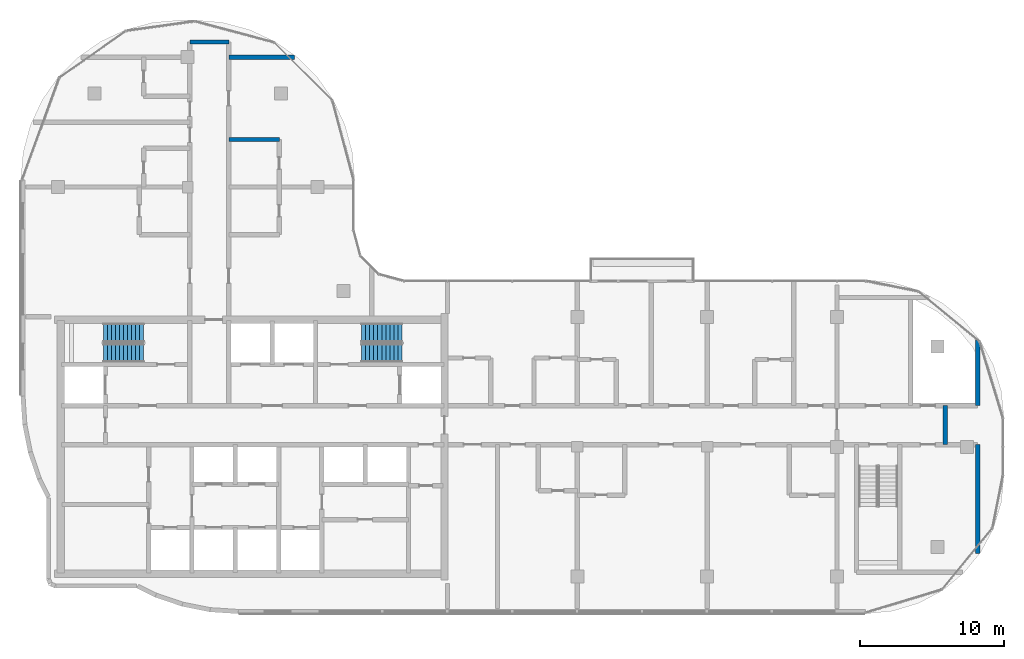
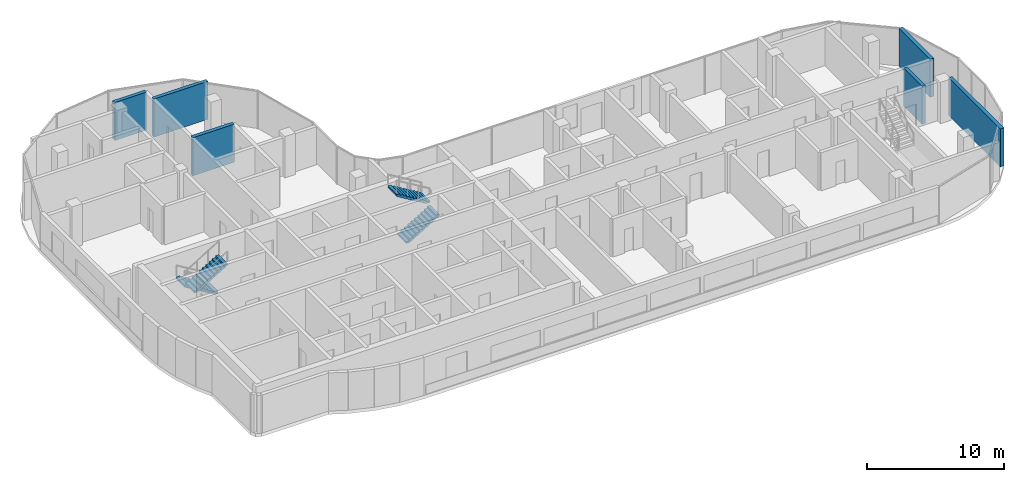
# One storey, part 13 of 18: 6 walls, 4 stair flights, 2 elements without a shape of their own.
"""IFC4 building model written with IfcOpenShell, lengths in metres."""

from ifc_helpers import new_model, si_unit, direction, frame, frame_2d, origin, place, context, subcontext, project, spatial, rectangle, extrude, triangles, source, transform, mapped, material, layer, layer_set, type_object, element, aggregate, save


model = new_model("IFC4")

# Units and contexts
model_context = context("Model", 3, precision=1e-05, world=origin(), true_north=direction((0.0, 1.0)))
body_context = subcontext(model_context, "Body", "Model", "MODEL_VIEW")
ifc_project = project(units=[si_unit("LENGTHUNIT", "METRE"), si_unit("AREAUNIT", "SQUARE_METRE"), si_unit("VOLUMEUNIT", "CUBIC_METRE"), si_unit("PLANEANGLEUNIT", "RADIAN"), si_unit("MASSUNIT", "GRAM", prefix="KILO")], contexts=[model_context])

# Site, building, storey
site_placement = place(None, origin())
site = spatial("IfcSite", under=ifc_project, at=site_placement, CompositionType="ELEMENT")
building_placement = place(site_placement, origin())
building = spatial("IfcBuilding", under=site, at=building_placement, Name="Ogive Portal Towers", CompositionType="ELEMENT")
storey_placement = place(building_placement, frame((0.0, 0.0, 236.5)))
storey = spatial("IfcBuildingStorey", under=building, at=storey_placement, Name="L59", CompositionType="ELEMENT", Elevation=236.5)

# Walls
ifc_material_1 = material(Name="Gypsum board partition on steel studs", Category="steel")
ifc_layer_1 = layer(ifc_material_1, 0.300048828125)
ifc_layer_set_1 = layer_set([ifc_layer_1], Name="WT-PART-300-EI 120")
wall_type_1 = type_object("IfcWallType", Name="WT-PART-300-EI 120", PredefinedType="PARTITIONING", material=ifc_layer_set_1)
wall_1_placement = place(storey_placement, frame((93.0, 30.64990234375, 0.0), z_axis=(0.0, 0.0, 1.0), x_axis=(0.0, 1.0, 0.0)))
element("IfcWall", 1, at=wall_1_placement, inside=storey, type_object=wall_type_1, Name="Wall L59:w052", PredefinedType="PARTITIONING", context=body_context, shape_type="SweptSolid", body=[
    extrude(rectangle(XDim=2.7001953125, YDim=0.300048828125, at=frame_2d((1.35009765625, 0.0))), origin(), (0.0, 0.0, 1.0), 3.39990234375),
])
ifc_layer_2 = layer(ifc_material_1, 0.300048828125)
ifc_layer_set_2 = layer_set([ifc_layer_2], Name="WT-PART-300-EI 60")
wall_type_2 = type_object("IfcWallType", Name="WT-PART-300-EI 60", PredefinedType="PARTITIONING", material=ifc_layer_set_2)
wall_2_placement = place(storey_placement, frame((43.35009765625, 51.800048828125, 0.0), z_axis=(0.0, 0.0, 1.0), x_axis=(1.0, 0.0, 0.0)))
element("IfcWall", 2, at=wall_2_placement, inside=storey, type_object=wall_type_2, Name="Wall L59:w020", PredefinedType="PARTITIONING", context=body_context, shape_type="SweptSolid", body=[
    extrude(rectangle(XDim=3.5, YDim=0.300048828125, at=frame_2d((1.75, 0.0))), origin(), (0.0, 0.0, 1.0), 3.39990234375),
])
wall_3_placement = place(storey_placement, frame((43.35009765625, 57.5, 0.0), z_axis=(0.0, 0.0, 1.0), x_axis=(1.0, 0.0, 0.0)))
element("IfcWall", 3, at=wall_3_placement, inside=storey, type_object=wall_type_2, Name="Wall L59:w024", PredefinedType="PARTITIONING", context=body_context, shape_type="SweptSolid", body=[
    extrude(rectangle(XDim=4.56201171875, YDim=0.300048828125, at=frame_2d((2.281005859375, 0.0))), origin(), (0.0, 0.0, 1.0), 3.39990234375),
])
wall_4_placement = place(storey_placement, frame((40.64990234375, 58.550048828125, 0.0), z_axis=(0.0, 0.0, 1.0), x_axis=(1.0, 0.0, 0.0)))
element("IfcWall", 4, at=wall_4_placement, inside=storey, type_object=wall_type_2, Name="Wall L59:w025", PredefinedType="PARTITIONING", context=body_context, shape_type="SweptSolid", body=[
    extrude(rectangle(XDim=2.7001953125, YDim=0.300048828125, at=frame_2d((1.35009765625, 0.0))), origin(), (0.0, 0.0, 1.0), 3.39990234375),
])
wall_5_placement = place(storey_placement, frame((95.25, 23.091064453125, 0.0), z_axis=(0.0, 0.0, 1.0), x_axis=(0.0, 1.0, 0.0)))
element("IfcWall", 5, at=wall_5_placement, inside=storey, type_object=wall_type_2, Name="Wall L59:w053", PredefinedType="PARTITIONING", context=body_context, shape_type="SweptSolid", body=[
    extrude(rectangle(XDim=7.558837890625, YDim=0.300048828125, at=frame_2d((3.779296875, 0.0))), origin(), (0.0, 0.0, 1.0), 3.39990234375),
])
wall_6_placement = place(storey_placement, frame((95.25, 33.35009765625, 0.0), z_axis=(0.0, 0.0, 1.0), x_axis=(0.0, 1.0, 0.0)))
element("IfcWall", 6, at=wall_6_placement, inside=storey, type_object=wall_type_2, Name="Wall L59:w054", PredefinedType="PARTITIONING", context=body_context, shape_type="SweptSolid", body=[
    extrude(rectangle(XDim=4.558837890625, YDim=0.300048828125, at=frame_2d((2.279296875, 0.0))), origin(), (0.0, 0.0, 1.0), 3.39990234375),
])

# Stair, stair flights
ifc_material_2 = material(Name="Concrete C40/50", Category="concrete")
stair_type = type_object("IfcStairType", Name="INT-STAIR", PredefinedType="HALF_TURN_STAIR", material=ifc_material_2)
stair_1_placement = place(storey_placement, origin())
stair_1 = element("IfcStair", 7, at=stair_1_placement, inside=storey, type_object=stair_type, Name="L59 Exit Stair ST-A1", PredefinedType="HALF_TURN_STAIR")
stair_flight_type = type_object("IfcStairFlightType", Name="INT-FLIGHT", PredefinedType="STRAIGHT", material=ifc_material_2)
shared_shape = source(origin(), body_context, "Body", "Tessellation", [
    triangles([(0.0, -0.650146484375, 0.0), (0.0, -0.376220703125, 0.0), (0.0, -0.192626953125, 0.0), (0.0, -0.081298828125, 0.0), (0.0, -0.024169921875, 0.0), (0.0, -0.003173828125, 0.0), (0.0, 0.0, 0.0), (0.0, 0.0029296875, 0.0), (0.0, 0.02392578125, 0.0), (0.0, 0.0810546875, 0.0), (0.0, 0.1923828125, 0.0), (0.0, 0.3759765625, 0.0), (0.0, 0.64990234375, 0.0), (0.0, -0.650146484375, 0.168212890625), (0.0, -0.376220703125, 0.168212890625), (0.0, -0.192626953125, 0.168212890625), (0.0, -0.081298828125, 0.168212890625), (0.0, -0.024169921875, 0.168212890625), (0.0, -0.003173828125, 0.168212890625), (0.0, 0.0, 0.168212890625), (0.0, 0.0029296875, 0.168212890625), (0.0, 0.02392578125, 0.168212890625), (0.0, 0.0810546875, 0.168212890625), (0.0, 0.1923828125, 0.168212890625), (0.0, 0.3759765625, 0.168212890625), (0.0, 0.64990234375, 0.168212890625), (0.280029296875, -0.650146484375, 0.168212890625), (0.280029296875, -0.376220703125, 0.168212890625), (0.280029296875, -0.192626953125, 0.168212890625), (0.280029296875, -0.081298828125, 0.168212890625), (0.280029296875, -0.024169921875, 0.168212890625), (0.280029296875, -0.003173828125, 0.168212890625), (0.280029296875, 0.0, 0.168212890625), (0.280029296875, 0.0029296875, 0.168212890625), (0.280029296875, 0.02392578125, 0.168212890625), (0.280029296875, 0.0810546875, 0.168212890625), (0.280029296875, 0.1923828125, 0.168212890625), (0.280029296875, 0.3759765625, 0.168212890625), (0.280029296875, 0.64990234375, 0.168212890625), (0.280029296875, -0.650146484375, 0.33642578125), (0.280029296875, -0.376220703125, 0.33642578125), (0.280029296875, -0.192626953125, 0.33642578125), (0.280029296875, -0.081298828125, 0.33642578125), (0.280029296875, -0.024169921875, 0.33642578125), (0.280029296875, -0.003173828125, 0.33642578125), (0.280029296875, 0.0, 0.33642578125), (0.280029296875, 0.0029296875, 0.33642578125), (0.280029296875, 0.02392578125, 0.33642578125), (0.280029296875, 0.0810546875, 0.33642578125), (0.280029296875, 0.1923828125, 0.33642578125), (0.280029296875, 0.3759765625, 0.33642578125), (0.280029296875, 0.64990234375, 0.33642578125), (0.56005859375, -0.650146484375, 0.33642578125), (0.56005859375, -0.376220703125, 0.33642578125), (0.56005859375, -0.192626953125, 0.33642578125), (0.56005859375, -0.081298828125, 0.33642578125), (0.56005859375, -0.024169921875, 0.33642578125), (0.56005859375, -0.003173828125, 0.33642578125), (0.56005859375, 0.0, 0.33642578125), (0.56005859375, 0.0029296875, 0.33642578125), (0.56005859375, 0.02392578125, 0.33642578125), (0.56005859375, 0.0810546875, 0.33642578125), (0.56005859375, 0.1923828125, 0.33642578125), (0.56005859375, 0.3759765625, 0.33642578125), (0.56005859375, 0.64990234375, 0.33642578125), (0.56005859375, -0.650146484375, 0.504638671875), (0.56005859375, -0.376220703125, 0.504638671875), (0.56005859375, -0.192626953125, 0.504638671875), (0.56005859375, -0.081298828125, 0.504638671875), (0.56005859375, -0.024169921875, 0.504638671875), (0.56005859375, -0.003173828125, 0.504638671875), (0.56005859375, 0.0, 0.504638671875), (0.56005859375, 0.0029296875, 0.504638671875), (0.56005859375, 0.02392578125, 0.504638671875), (0.56005859375, 0.0810546875, 0.504638671875), (0.56005859375, 0.1923828125, 0.504638671875), (0.56005859375, 0.3759765625, 0.504638671875), (0.56005859375, 0.64990234375, 0.504638671875), (0.840087890625, -0.650146484375, 0.504638671875), (0.840087890625, -0.376220703125, 0.504638671875), (0.840087890625, -0.192626953125, 0.504638671875), (0.840087890625, -0.081298828125, 0.504638671875), (0.840087890625, -0.024169921875, 0.504638671875), (0.840087890625, -0.003173828125, 0.504638671875), (0.840087890625, 0.0, 0.504638671875), (0.840087890625, 0.0029296875, 0.504638671875), (0.840087890625, 0.02392578125, 0.504638671875), (0.840087890625, 0.0810546875, 0.504638671875), (0.840087890625, 0.1923828125, 0.504638671875), (0.840087890625, 0.3759765625, 0.504638671875), (0.840087890625, 0.64990234375, 0.504638671875), (0.840087890625, -0.650146484375, 0.672607421875), (0.840087890625, -0.376220703125, 0.672607421875), (0.840087890625, -0.192626953125, 0.672607421875), (0.840087890625, -0.081298828125, 0.672607421875), (0.840087890625, -0.024169921875, 0.672607421875), (0.840087890625, -0.003173828125, 0.672607421875), (0.840087890625, 0.0, 0.672607421875), (0.840087890625, 0.0029296875, 0.672607421875), (0.840087890625, 0.02392578125, 0.672607421875), (0.840087890625, 0.0810546875, 0.672607421875), (0.840087890625, 0.1923828125, 0.672607421875), (0.840087890625, 0.3759765625, 0.672607421875), (0.840087890625, 0.64990234375, 0.672607421875), (1.1201171875, -0.650146484375, 0.672607421875), (1.1201171875, -0.376220703125, 0.672607421875), (1.1201171875, -0.192626953125, 0.672607421875), (1.1201171875, -0.081298828125, 0.672607421875), (1.1201171875, -0.024169921875, 0.672607421875), (1.1201171875, -0.003173828125, 0.672607421875), (1.1201171875, 0.0, 0.672607421875), (1.1201171875, 0.0029296875, 0.672607421875), (1.1201171875, 0.02392578125, 0.672607421875), (1.1201171875, 0.0810546875, 0.672607421875), (1.1201171875, 0.1923828125, 0.672607421875), (1.1201171875, 0.3759765625, 0.672607421875), (1.1201171875, 0.64990234375, 0.672607421875), (1.1201171875, -0.650146484375, 0.8408203125), (1.1201171875, -0.376220703125, 0.8408203125), (1.1201171875, -0.192626953125, 0.8408203125), (1.1201171875, -0.081298828125, 0.8408203125), (1.1201171875, -0.024169921875, 0.8408203125), (1.1201171875, -0.003173828125, 0.8408203125), (1.1201171875, 0.0, 0.8408203125), (1.1201171875, 0.0029296875, 0.8408203125), (1.1201171875, 0.02392578125, 0.8408203125), (1.1201171875, 0.0810546875, 0.8408203125), (1.1201171875, 0.1923828125, 0.8408203125), (1.1201171875, 0.3759765625, 0.8408203125), (1.1201171875, 0.64990234375, 0.8408203125), (1.39990234375, -0.650146484375, 0.8408203125), (1.39990234375, -0.376220703125, 0.8408203125), (1.39990234375, -0.192626953125, 0.8408203125), (1.39990234375, -0.081298828125, 0.8408203125), (1.39990234375, -0.024169921875, 0.8408203125), (1.39990234375, -0.003173828125, 0.8408203125), (1.39990234375, 0.0, 0.8408203125), (1.39990234375, 0.0029296875, 0.8408203125), (1.39990234375, 0.02392578125, 0.8408203125), (1.39990234375, 0.0810546875, 0.8408203125), (1.39990234375, 0.1923828125, 0.8408203125), (1.39990234375, 0.3759765625, 0.8408203125), (1.39990234375, 0.64990234375, 0.8408203125), (1.39990234375, -0.650146484375, 1.009033203125), (1.39990234375, -0.376220703125, 1.009033203125), (1.39990234375, -0.192626953125, 1.009033203125), (1.39990234375, -0.081298828125, 1.009033203125), (1.39990234375, -0.024169921875, 1.009033203125), (1.39990234375, -0.003173828125, 1.009033203125), (1.39990234375, 0.0, 1.009033203125), (1.39990234375, 0.0029296875, 1.009033203125), (1.39990234375, 0.02392578125, 1.009033203125), (1.39990234375, 0.0810546875, 1.009033203125), (1.39990234375, 0.1923828125, 1.009033203125), (1.39990234375, 0.3759765625, 1.009033203125), (1.39990234375, 0.64990234375, 1.009033203125), (1.679931640625, -0.650146484375, 1.009033203125), (1.679931640625, -0.376220703125, 1.009033203125), (1.679931640625, -0.192626953125, 1.009033203125), (1.679931640625, -0.081298828125, 1.009033203125), (1.679931640625, -0.024169921875, 1.009033203125), (1.679931640625, -0.003173828125, 1.009033203125), (1.679931640625, 0.0, 1.009033203125), (1.679931640625, 0.0029296875, 1.009033203125), (1.679931640625, 0.02392578125, 1.009033203125), (1.679931640625, 0.0810546875, 1.009033203125), (1.679931640625, 0.1923828125, 1.009033203125), (1.679931640625, 0.3759765625, 1.009033203125), (1.679931640625, 0.64990234375, 1.009033203125), (1.679931640625, -0.650146484375, 1.17724609375), (1.679931640625, -0.376220703125, 1.17724609375), (1.679931640625, -0.192626953125, 1.17724609375), (1.679931640625, -0.081298828125, 1.17724609375), (1.679931640625, -0.024169921875, 1.17724609375), (1.679931640625, -0.003173828125, 1.17724609375), (1.679931640625, 0.0, 1.17724609375), (1.679931640625, 0.0029296875, 1.17724609375), (1.679931640625, 0.02392578125, 1.17724609375), (1.679931640625, 0.0810546875, 1.17724609375), (1.679931640625, 0.1923828125, 1.17724609375), (1.679931640625, 0.3759765625, 1.17724609375), (1.679931640625, 0.64990234375, 1.17724609375), (1.9599609375, -0.650146484375, 1.17724609375), (1.9599609375, -0.376220703125, 1.17724609375), (1.9599609375, -0.192626953125, 1.17724609375), (1.9599609375, -0.081298828125, 1.17724609375), (1.9599609375, -0.024169921875, 1.17724609375), (1.9599609375, -0.003173828125, 1.17724609375), (1.9599609375, 0.0, 1.17724609375), (1.9599609375, 0.0029296875, 1.17724609375), (1.9599609375, 0.02392578125, 1.17724609375), (1.9599609375, 0.0810546875, 1.17724609375), (1.9599609375, 0.1923828125, 1.17724609375), (1.9599609375, 0.3759765625, 1.17724609375), (1.9599609375, 0.64990234375, 1.17724609375), (1.9599609375, -0.650146484375, 1.345458984375), (1.9599609375, -0.376220703125, 1.345458984375), (1.9599609375, -0.192626953125, 1.345458984375), (1.9599609375, -0.081298828125, 1.345458984375), (1.9599609375, -0.024169921875, 1.345458984375), (1.9599609375, -0.003173828125, 1.345458984375), (1.9599609375, 0.0, 1.345458984375), (1.9599609375, 0.0029296875, 1.345458984375), (1.9599609375, 0.02392578125, 1.345458984375), (1.9599609375, 0.0810546875, 1.345458984375), (1.9599609375, 0.1923828125, 1.345458984375), (1.9599609375, 0.3759765625, 1.345458984375), (1.9599609375, 0.64990234375, 1.345458984375), (2.239990234375, -0.650146484375, 1.345458984375), (2.239990234375, -0.376220703125, 1.345458984375), (2.239990234375, -0.192626953125, 1.345458984375), (2.239990234375, -0.081298828125, 1.345458984375), (2.239990234375, -0.024169921875, 1.345458984375), (2.239990234375, -0.003173828125, 1.345458984375), (2.239990234375, 0.0, 1.345458984375), (2.239990234375, 0.0029296875, 1.345458984375), (2.239990234375, 0.02392578125, 1.345458984375), (2.239990234375, 0.0810546875, 1.345458984375), (2.239990234375, 0.1923828125, 1.345458984375), (2.239990234375, 0.3759765625, 1.345458984375), (2.239990234375, 0.64990234375, 1.345458984375), (2.239990234375, -0.650146484375, 1.513671875), (2.239990234375, -0.376220703125, 1.513671875), (2.239990234375, -0.192626953125, 1.513671875), (2.239990234375, -0.081298828125, 1.513671875), (2.239990234375, -0.024169921875, 1.513671875), (2.239990234375, -0.003173828125, 1.513671875), (2.239990234375, 0.0, 1.513671875), (2.239990234375, 0.0029296875, 1.513671875), (2.239990234375, 0.02392578125, 1.513671875), (2.239990234375, 0.0810546875, 1.513671875), (2.239990234375, 0.1923828125, 1.513671875), (2.239990234375, 0.3759765625, 1.513671875), (2.239990234375, 0.64990234375, 1.513671875), (2.52001953125, -0.650146484375, 1.513671875), (2.52001953125, -0.376220703125, 1.513671875), (2.52001953125, -0.192626953125, 1.513671875), (2.52001953125, -0.081298828125, 1.513671875), (2.52001953125, -0.024169921875, 1.513671875), (2.52001953125, -0.003173828125, 1.513671875), (2.52001953125, 0.0, 1.513671875), (2.52001953125, 0.0029296875, 1.513671875), (2.52001953125, 0.02392578125, 1.513671875), (2.52001953125, 0.0810546875, 1.513671875), (2.52001953125, 0.1923828125, 1.513671875), (2.52001953125, 0.3759765625, 1.513671875), (2.52001953125, 0.64990234375, 1.513671875), (2.52001953125, -0.650146484375, 1.681884765625), (2.52001953125, -0.376220703125, 1.681884765625), (2.52001953125, -0.192626953125, 1.681884765625), (2.52001953125, -0.081298828125, 1.681884765625), (2.52001953125, -0.024169921875, 1.681884765625), (2.52001953125, -0.003173828125, 1.681884765625), (2.52001953125, 0.0, 1.681884765625), (2.52001953125, 0.0029296875, 1.681884765625), (2.52001953125, 0.02392578125, 1.681884765625), (2.52001953125, 0.0810546875, 1.681884765625), (2.52001953125, 0.1923828125, 1.681884765625), (2.52001953125, 0.3759765625, 1.681884765625), (2.52001953125, 0.64990234375, 1.681884765625), (2.800048828125, -0.650146484375, 1.681884765625), (2.800048828125, -0.376220703125, 1.681884765625), (2.800048828125, -0.192626953125, 1.681884765625), (2.800048828125, -0.081298828125, 1.681884765625), (2.800048828125, -0.024169921875, 1.681884765625), (2.800048828125, -0.003173828125, 1.681884765625), (2.800048828125, 0.0, 1.681884765625), (2.800048828125, 0.0029296875, 1.681884765625), (2.800048828125, 0.02392578125, 1.681884765625), (2.800048828125, 0.0810546875, 1.681884765625), (2.800048828125, 0.1923828125, 1.681884765625), (2.800048828125, 0.3759765625, 1.681884765625), (2.800048828125, 0.64990234375, 1.681884765625), (2.800048828125, -0.650146484375, 1.5068359375), (2.800048828125, -0.376220703125, 1.5068359375), (2.800048828125, -0.192626953125, 1.5068359375), (2.800048828125, -0.081298828125, 1.5068359375), (2.800048828125, -0.024169921875, 1.5068359375), (2.800048828125, -0.003173828125, 1.5068359375), (2.800048828125, 0.0, 1.5068359375), (2.800048828125, 0.0029296875, 1.5068359375), (2.800048828125, 0.02392578125, 1.5068359375), (2.800048828125, 0.0810546875, 1.5068359375), (2.800048828125, 0.1923828125, 1.5068359375), (2.800048828125, 0.3759765625, 1.5068359375), (2.800048828125, 0.64990234375, 1.5068359375), (0.291015625, -0.650146484375, 0.0), (0.291015625, -0.376220703125, 0.0), (0.291015625, -0.192626953125, 0.0), (0.291015625, -0.081298828125, 0.0), (0.291015625, -0.024169921875, 0.0), (0.291015625, -0.003173828125, 0.0), (0.291015625, 0.0, 0.0), (0.291015625, 0.0029296875, 0.0), (0.291015625, 0.02392578125, 0.0), (0.291015625, 0.0810546875, 0.0), (0.291015625, 0.1923828125, 0.0), (0.291015625, 0.3759765625, 0.0), (0.291015625, 0.64990234375, 0.0)], [[1, 14, 15], [1, 15, 2], [2, 15, 16], [2, 16, 3], [3, 16, 17], [3, 17, 4], [4, 17, 18], [4, 18, 5], [5, 18, 19], [5, 19, 6], [6, 19, 20], [6, 20, 7], [7, 20, 21], [7, 21, 8], [8, 21, 22], [8, 22, 9], [9, 22, 23], [9, 23, 10], [10, 23, 24], [10, 24, 11], [11, 24, 25], [11, 25, 12], [12, 25, 26], [12, 26, 13], [14, 27, 28], [14, 28, 15], [15, 28, 29], [15, 29, 16], [16, 29, 30], [16, 30, 17], [17, 30, 31], [17, 31, 18], [18, 31, 32], [18, 32, 19], [19, 32, 33], [19, 33, 20], [20, 33, 34], [20, 34, 21], [21, 34, 35], [21, 35, 22], [22, 35, 36], [22, 36, 23], [23, 36, 37], [23, 37, 24], [24, 37, 38], [24, 38, 25], [25, 38, 39], [25, 39, 26], [27, 40, 41], [27, 41, 28], [28, 41, 42], [28, 42, 29], [29, 42, 43], [29, 43, 30], [30, 43, 44], [30, 44, 31], [31, 44, 45], [31, 45, 32], [32, 45, 46], [32, 46, 33], [33, 46, 47], [33, 47, 34], [34, 47, 48], [34, 48, 35], [35, 48, 49], [35, 49, 36], [36, 49, 50], [36, 50, 37], [37, 50, 51], [37, 51, 38], [38, 51, 52], [38, 52, 39], [40, 53, 54], [40, 54, 41], [41, 54, 55], [41, 55, 42], [42, 55, 56], [42, 56, 43], [43, 56, 57], [43, 57, 44], [44, 57, 58], [44, 58, 45], [45, 58, 59], [45, 59, 46], [46, 59, 60], [46, 60, 47], [47, 60, 61], [47, 61, 48], [48, 61, 62], [48, 62, 49], [49, 62, 63], [49, 63, 50], [50, 63, 64], [50, 64, 51], [51, 64, 65], [51, 65, 52], [53, 66, 67], [53, 67, 54], [54, 67, 68], [54, 68, 55], [55, 68, 69], [55, 69, 56], [56, 69, 70], [56, 70, 57], [57, 70, 71], [57, 71, 58], [58, 71, 72], [58, 72, 59], [59, 72, 73], [59, 73, 60], [60, 73, 74], [60, 74, 61], [61, 74, 75], [61, 75, 62], [62, 75, 76], [62, 76, 63], [63, 76, 77], [63, 77, 64], [64, 77, 78], [64, 78, 65], [66, 79, 80], [66, 80, 67], [67, 80, 81], [67, 81, 68], [68, 81, 82], [68, 82, 69], [69, 82, 83], [69, 83, 70], [70, 83, 84], [70, 84, 71], [71, 84, 85], [71, 85, 72], [72, 85, 86], [72, 86, 73], [73, 86, 87], [73, 87, 74], [74, 87, 88], [74, 88, 75], [75, 88, 89], [75, 89, 76], [76, 89, 90], [76, 90, 77], [77, 90, 91], [77, 91, 78], [79, 92, 93], [79, 93, 80], [80, 93, 94], [80, 94, 81], [81, 94, 95], [81, 95, 82], [82, 95, 96], [82, 96, 83], [83, 96, 97], [83, 97, 84], [84, 97, 98], [84, 98, 85], [85, 98, 99], [85, 99, 86], [86, 99, 100], [86, 100, 87], [87, 100, 101], [87, 101, 88], [88, 101, 102], [88, 102, 89], [89, 102, 103], [89, 103, 90], [90, 103, 104], [90, 104, 91], [92, 105, 106], [92, 106, 93], [93, 106, 107], [93, 107, 94], [94, 107, 108], [94, 108, 95], [95, 108, 109], [95, 109, 96], [96, 109, 110], [96, 110, 97], [97, 110, 111], [97, 111, 98], [98, 111, 112], [98, 112, 99], [99, 112, 113], [99, 113, 100], [100, 113, 114], [100, 114, 101], [101, 114, 115], [101, 115, 102], [102, 115, 116], [102, 116, 103], [103, 116, 117], [103, 117, 104], [105, 118, 119], [105, 119, 106], [106, 119, 120], [106, 120, 107], [107, 120, 121], [107, 121, 108], [108, 121, 122], [108, 122, 109], [109, 122, 123], [109, 123, 110], [110, 123, 124], [110, 124, 111], [111, 124, 125], [111, 125, 112], [112, 125, 126], [112, 126, 113], [113, 126, 127], [113, 127, 114], [114, 127, 128], [114, 128, 115], [115, 128, 129], [115, 129, 116], [116, 129, 130], [116, 130, 117], [118, 131, 132], [118, 132, 119], [119, 132, 133], [119, 133, 120], [120, 133, 134], [120, 134, 121], [121, 134, 135], [121, 135, 122], [122, 135, 136], [122, 136, 123], [123, 136, 137], [123, 137, 124], [124, 137, 138], [124, 138, 125], [125, 138, 139], [125, 139, 126], [126, 139, 140], [126, 140, 127], [127, 140, 141], [127, 141, 128], [128, 141, 142], [128, 142, 129], [129, 142, 143], [129, 143, 130], [131, 144, 145], [131, 145, 132], [132, 145, 146], [132, 146, 133], [133, 146, 147], [133, 147, 134], [134, 147, 148], [134, 148, 135], [135, 148, 149], [135, 149, 136], [136, 149, 150], [136, 150, 137], [137, 150, 151], [137, 151, 138], [138, 151, 152], [138, 152, 139], [139, 152, 153], [139, 153, 140], [140, 153, 154], [140, 154, 141], [141, 154, 155], [141, 155, 142], [142, 155, 156], [142, 156, 143], [144, 157, 158], [144, 158, 145], [145, 158, 159], [145, 159, 146], [146, 159, 160], [146, 160, 147], [147, 160, 161], [147, 161, 148], [148, 161, 162], [148, 162, 149], [149, 162, 163], [149, 163, 150], [150, 163, 164], [150, 164, 151], [151, 164, 165], [151, 165, 152], [152, 165, 166], [152, 166, 153], [153, 166, 167], [153, 167, 154], [154, 167, 168], [154, 168, 155], [155, 168, 169], [155, 169, 156], [157, 170, 171], [157, 171, 158], [158, 171, 172], [158, 172, 159], [159, 172, 173], [159, 173, 160], [160, 173, 174], [160, 174, 161], [161, 174, 175], [161, 175, 162], [162, 175, 176], [162, 176, 163], [163, 176, 177], [163, 177, 164], [164, 177, 178], [164, 178, 165], [165, 178, 179], [165, 179, 166], [166, 179, 180], [166, 180, 167], [167, 180, 181], [167, 181, 168], [168, 181, 182], [168, 182, 169], [170, 183, 184], [170, 184, 171], [171, 184, 185], [171, 185, 172], [172, 185, 186], [172, 186, 173], [173, 186, 187], [173, 187, 174], [174, 187, 188], [174, 188, 175], [175, 188, 189], [175, 189, 176], [176, 189, 190], [176, 190, 177], [177, 190, 191], [177, 191, 178], [178, 191, 192], [178, 192, 179], [179, 192, 193], [179, 193, 180], [180, 193, 194], [180, 194, 181], [181, 194, 195], [181, 195, 182], [183, 196, 197], [183, 197, 184], [184, 197, 198], [184, 198, 185], [185, 198, 199], [185, 199, 186], [186, 199, 200], [186, 200, 187], [187, 200, 201], [187, 201, 188], [188, 201, 202], [188, 202, 189], [189, 202, 203], [189, 203, 190], [190, 203, 204], [190, 204, 191], [191, 204, 205], [191, 205, 192], [192, 205, 206], [192, 206, 193], [193, 206, 207], [193, 207, 194], [194, 207, 208], [194, 208, 195], [196, 209, 210], [196, 210, 197], [197, 210, 211], [197, 211, 198], [198, 211, 212], [198, 212, 199], [199, 212, 213], [199, 213, 200], [200, 213, 214], [200, 214, 201], [201, 214, 215], [201, 215, 202], [202, 215, 216], [202, 216, 203], [203, 216, 217], [203, 217, 204], [204, 217, 218], [204, 218, 205], [205, 218, 219], [205, 219, 206], [206, 219, 220], [206, 220, 207], [207, 220, 221], [207, 221, 208], [209, 222, 223], [209, 223, 210], [210, 223, 224], [210, 224, 211], [211, 224, 225], [211, 225, 212], [212, 225, 226], [212, 226, 213], [213, 226, 227], [213, 227, 214], [214, 227, 228], [214, 228, 215], [215, 228, 229], [215, 229, 216], [216, 229, 230], [216, 230, 217], [217, 230, 231], [217, 231, 218], [218, 231, 232], [218, 232, 219], [219, 232, 233], [219, 233, 220], [220, 233, 234], [220, 234, 221], [222, 235, 236], [222, 236, 223], [223, 236, 237], [223, 237, 224], [224, 237, 238], [224, 238, 225], [225, 238, 239], [225, 239, 226], [226, 239, 240], [226, 240, 227], [227, 240, 241], [227, 241, 228], [228, 241, 242], [228, 242, 229], [229, 242, 243], [229, 243, 230], [230, 243, 244], [230, 244, 231], [231, 244, 245], [231, 245, 232], [232, 245, 246], [232, 246, 233], [233, 246, 247], [233, 247, 234], [235, 248, 249], [235, 249, 236], [236, 249, 250], [236, 250, 237], [237, 250, 251], [237, 251, 238], [238, 251, 252], [238, 252, 239], [239, 252, 253], [239, 253, 240], [240, 253, 254], [240, 254, 241], [241, 254, 255], [241, 255, 242], [242, 255, 256], [242, 256, 243], [243, 256, 257], [243, 257, 244], [244, 257, 258], [244, 258, 245], [245, 258, 259], [245, 259, 246], [246, 259, 260], [246, 260, 247], [248, 261, 262], [248, 262, 249], [249, 262, 263], [249, 263, 250], [250, 263, 264], [250, 264, 251], [251, 264, 265], [251, 265, 252], [252, 265, 266], [252, 266, 253], [253, 266, 267], [253, 267, 254], [254, 267, 268], [254, 268, 255], [255, 268, 269], [255, 269, 256], [256, 269, 270], [256, 270, 257], [257, 270, 271], [257, 271, 258], [258, 271, 272], [258, 272, 259], [259, 272, 273], [259, 273, 260], [261, 274, 275], [261, 275, 262], [262, 275, 276], [262, 276, 263], [263, 276, 277], [263, 277, 264], [264, 277, 278], [264, 278, 265], [265, 278, 279], [265, 279, 266], [266, 279, 280], [266, 280, 267], [267, 280, 281], [267, 281, 268], [268, 281, 282], [268, 282, 269], [269, 282, 283], [269, 283, 270], [270, 283, 284], [270, 284, 271], [271, 284, 285], [271, 285, 272], [272, 285, 286], [272, 286, 273], [274, 287, 288], [274, 288, 275], [275, 288, 289], [275, 289, 276], [276, 289, 290], [276, 290, 277], [277, 290, 291], [277, 291, 278], [278, 291, 292], [278, 292, 279], [279, 292, 293], [279, 293, 280], [280, 293, 294], [280, 294, 281], [281, 294, 295], [281, 295, 282], [282, 295, 296], [282, 296, 283], [283, 296, 297], [283, 297, 284], [284, 297, 298], [284, 298, 285], [285, 298, 299], [285, 299, 286], [287, 1, 2], [287, 2, 288], [288, 2, 3], [288, 3, 289], [289, 3, 4], [289, 4, 290], [290, 4, 5], [290, 5, 291], [291, 5, 6], [291, 6, 292], [292, 6, 7], [292, 7, 293], [293, 7, 8], [293, 8, 294], [294, 8, 9], [294, 9, 295], [295, 9, 10], [295, 10, 296], [296, 10, 11], [296, 11, 297], [297, 11, 12], [297, 12, 298], [298, 12, 13], [298, 13, 299], [1, 287, 274], [13, 286, 299], [274, 261, 248], [286, 260, 273], [274, 248, 235], [286, 247, 260], [274, 235, 222], [286, 234, 247], [274, 222, 209], [286, 221, 234], [209, 196, 183], [221, 195, 208], [274, 209, 183], [286, 195, 221], [183, 170, 157], [195, 169, 182], [274, 183, 157], [286, 169, 195], [157, 144, 131], [169, 143, 156], [274, 157, 131], [286, 143, 169], [131, 118, 105], [143, 117, 130], [274, 131, 105], [286, 117, 143], [1, 274, 105], [13, 117, 286], [105, 92, 79], [117, 91, 104], [79, 66, 53], [91, 65, 78], [105, 79, 53], [117, 65, 91], [53, 40, 27], [65, 39, 52], [105, 53, 27], [117, 39, 65], [1, 105, 27], [13, 39, 117], [27, 14, 1], [39, 13, 26]], closed=True),
])
stair_flight_1_placement = place(storey_placement, frame((37.449951171875, 38.39990234375, 0.0), z_axis=(0.0, 0.0, 1.0), x_axis=(-1.0, 0.0, 0.0)))
stair_flight_1 = element("IfcStairFlight", 8, at=stair_flight_1_placement, type_object=stair_flight_type, Name="ST-A1 flight 1", NumberOfRisers=11, NumberOfTreads=10, PredefinedType="STRAIGHT", RiserHeight=0.168181818, TreadLength=0.28, context=body_context, shape_type="MappedRepresentation", body=[
    mapped(shared_shape, transform((0.0, 0.0, 0.0), scale=1.0)),
])
stair_flight_2_placement = place(storey_placement, frame((34.64990234375, 37.0, 1.85009765625), z_axis=(0.0, 0.0, 1.0), x_axis=(1.0, 0.0, 0.0)))
stair_flight_2 = element("IfcStairFlight", 9, at=stair_flight_2_placement, type_object=stair_flight_type, Name="ST-A1 flight 2", NumberOfRisers=11, NumberOfTreads=10, PredefinedType="STRAIGHT", RiserHeight=0.168181818, TreadLength=0.28, context=body_context, shape_type="MappedRepresentation", body=[
    mapped(shared_shape, transform((0.0, 0.0, 0.0), scale=1.0)),
])
aggregate(stair_1, [stair_flight_1, stair_flight_2])

stair_2_placement = place(storey_placement, origin())
stair_2 = element("IfcStair", 10, at=stair_2_placement, inside=storey, type_object=stair_type, Name="L59 Exit Stair ST-A2", PredefinedType="HALF_TURN_STAIR")
stair_flight_3_placement = place(storey_placement, frame((52.550048828125, 37.0, 0.0), z_axis=(0.0, 0.0, 1.0), x_axis=(1.0, 0.0, 0.0)))
stair_flight_3 = element("IfcStairFlight", 11, at=stair_flight_3_placement, type_object=stair_flight_type, Name="ST-A2 flight 1", NumberOfRisers=11, NumberOfTreads=10, PredefinedType="STRAIGHT", RiserHeight=0.168181818, TreadLength=0.28, context=body_context, shape_type="MappedRepresentation", body=[
    mapped(shared_shape, transform((0.0, 0.0, 0.0), scale=1.0)),
])
stair_flight_4_placement = place(storey_placement, frame((55.35009765625, 38.39990234375, 1.85009765625), z_axis=(0.0, 0.0, 1.0), x_axis=(-1.0, 0.0, 0.0)))
stair_flight_4 = element("IfcStairFlight", 12, at=stair_flight_4_placement, type_object=stair_flight_type, Name="ST-A2 flight 2", NumberOfRisers=11, NumberOfTreads=10, PredefinedType="STRAIGHT", RiserHeight=0.168181818, TreadLength=0.28, context=body_context, shape_type="MappedRepresentation", body=[
    mapped(shared_shape, transform((0.0, 0.0, 0.0), scale=1.0)),
])
aggregate(stair_2, [stair_flight_3, stair_flight_4])

save(model, "model.ifc")
